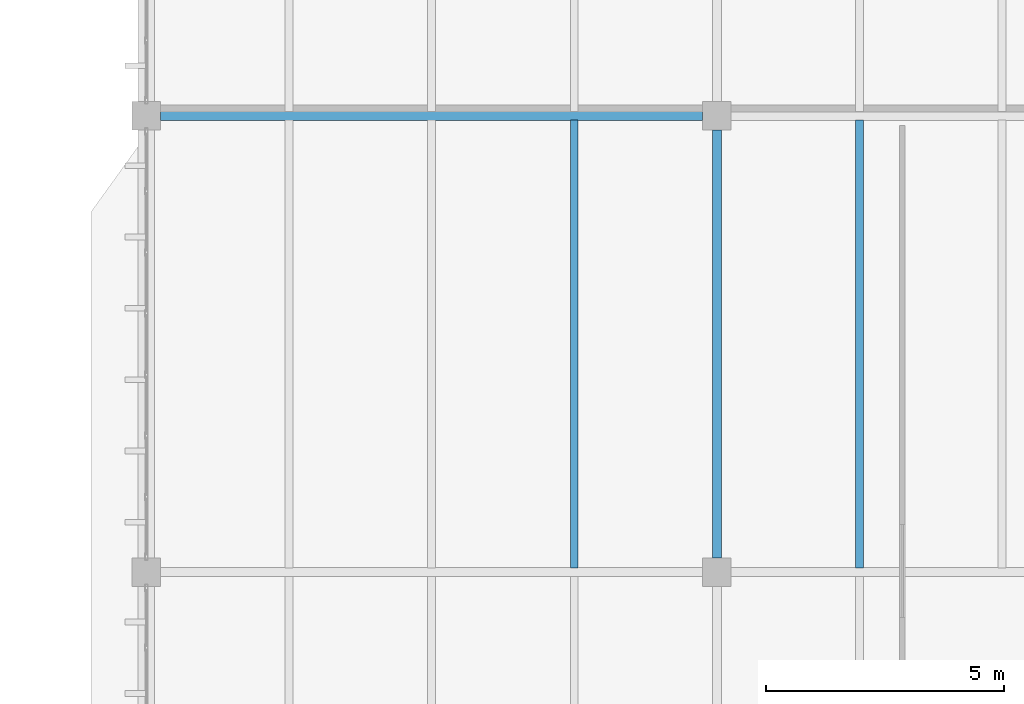
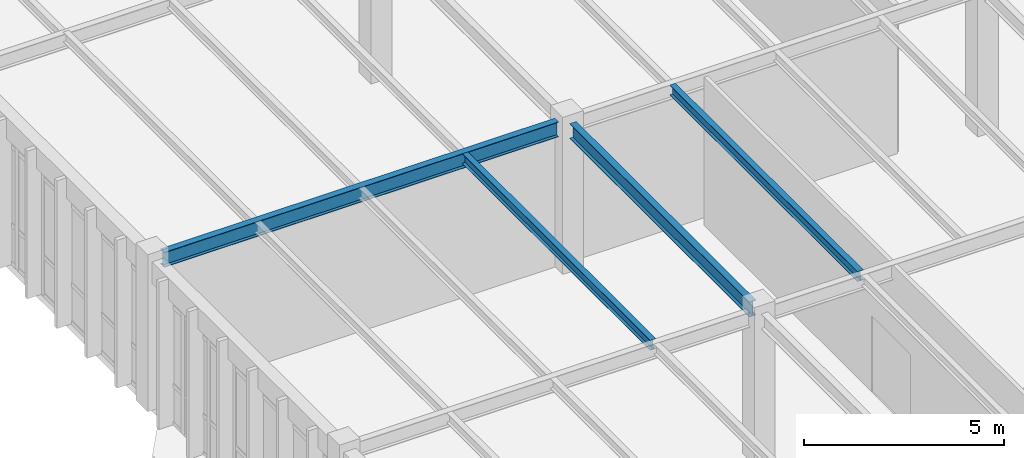
# One storey, part 159 of 236: 4 beams.
"""IFC4 building model written with IfcOpenShell, lengths in metres."""

import ifcopenshell
import ifcopenshell.guid

model = None  # the IFC model being written
_history = None  # IfcOwnerHistory: only IFC2X3 demands one
_inside = {}  # id of a spatial element -> (the spatial element, [elements in it])
_under = {}  # id of a project, library or spatial element -> (it, [spatial elements below it])
_declared = {}  # id of a project -> (the project, [libraries it declares])
_typed = {}  # id of a type object -> (the type object, [elements of that type])
_made_of = {}  # id of a material, layer set ... -> (it, [elements and type objects made of it])


def new_model(schema):
    """Start an empty IFC model of exactly this schema.

    Asked for "IFC4X3", IfcOpenShell would pick the latest addendum, in which some entities
    have other attributes; the version numbers below select the first issue.
    IFC2X3 requires an IfcOwnerHistory on every rooted entity: one is made here for all.
    """
    global model, _history
    if schema == "IFC4X3":
        model = ifcopenshell.file(schema_version=(4, 3, 0, 0))
    else:
        model = ifcopenshell.file(schema=schema)
    _inside.clear()
    _under.clear()
    _declared.clear()
    _typed.clear()
    _made_of.clear()
    _history = None
    if model.schema == "IFC2X3":
        org = make("IfcOrganization", Name="unknown")
        user = make(
            "IfcPersonAndOrganization",
            ThePerson=make("IfcPerson", FamilyName="unknown"),
            TheOrganization=org,
        )
        app = make(
            "IfcApplication",
            ApplicationDeveloper=org,
            Version="unknown",
            ApplicationFullName="unknown",
            ApplicationIdentifier="unknown",
        )
        _history = make(
            "IfcOwnerHistory",
            OwningUser=user,
            OwningApplication=app,
            ChangeAction="ADDED",
            CreationDate=0,
        )
    return model


def make(cls, **values):
    """One entity of the class cls with the attributes given. An attribute that is None is left unset."""
    return model.create_entity(
        cls, **{name: value for name, value in values.items() if value is not None}
    )


def rooted(cls, **values):
    """An entity with a GlobalId (a new one), such as an element, a storey or a relation."""
    return make(cls, GlobalId=ifcopenshell.guid.new(), OwnerHistory=_history, **values)


def si_unit(unit_type, name, prefix=None):
    """IfcSIUnit, for example si_unit("LENGTHUNIT", "METRE", prefix="MILLI")."""
    return make("IfcSIUnit", UnitType=unit_type, Prefix=prefix, Name=name)


def assignment(units):
    """IfcUnitAssignment: the units of a project."""
    return None if units is None else make("IfcUnitAssignment", Units=units)


def point(xyz):
    """IfcCartesianPoint."""
    return None if xyz is None else make("IfcCartesianPoint", Coordinates=xyz)


def direction(xyz):
    """IfcDirection."""
    return None if xyz is None else make("IfcDirection", DirectionRatios=xyz)


def frame(location, z_axis=None, x_axis=None):
    """IfcAxis2Placement3D, a coordinate frame: its origin and axes. An axis left out is left unset."""
    return make(
        "IfcAxis2Placement3D",
        Location=point(location),
        Axis=direction(z_axis),
        RefDirection=direction(x_axis),
    )


def frame_2d(location, x_axis=None):
    """IfcAxis2Placement2D, a coordinate frame in the plane: its origin and x axis."""
    return make(
        "IfcAxis2Placement2D", Location=point(location), RefDirection=direction(x_axis)
    )


def origin():
    """The frame at (0, 0, 0) with its axes left unset."""
    return frame((0.0, 0.0, 0.0))


def origin_2d():
    """The frame at (0, 0) in the plane with its x axis left unset."""
    return frame_2d((0.0, 0.0))


def place(relative_to, where):
    """IfcLocalPlacement: puts the frame where relative to a parent placement (None: the world)."""
    return make(
        "IfcLocalPlacement", PlacementRelTo=relative_to, RelativePlacement=where
    )


def context(
    kind, dimensions, precision=None, world=None, true_north=None, identifier=None
):
    """IfcGeometricRepresentationContext, for example the 3D "Model" context."""
    return make(
        "IfcGeometricRepresentationContext",
        ContextIdentifier=identifier,
        ContextType=kind,
        CoordinateSpaceDimension=dimensions,
        Precision=precision,
        WorldCoordinateSystem=world,
        TrueNorth=true_north,
    )


def subcontext(parent, identifier, kind, view, scale=None):
    """IfcGeometricRepresentationSubContext, for example "Body" below "Model"."""
    return make(
        "IfcGeometricRepresentationSubContext",
        ContextIdentifier=identifier,
        ContextType=kind,
        ParentContext=parent,
        TargetScale=scale,
        TargetView=view,
    )


def project(units=None, contexts=None):
    """IfcProject with its units and contexts."""
    return rooted(
        "IfcProject",
        Name="project",
        RepresentationContexts=contexts,
        UnitsInContext=assignment(units),
    )


def spatial(cls, under=None, at=None, **own):
    """A site, building, storey or space (cls), placed at a placement, below another one or the project."""
    s = rooted(cls, ObjectPlacement=at, **own)
    if under is not None:
        _under.setdefault(under.id(), (under, []))[1].append(s)
    return s


def profile(cls, at=None, kind="AREA", **sizes):
    """A parametric profile (cls). Its sizes go by their IFC names, for example OverallWidth=200.0."""
    return make(cls, ProfileType=kind, Position=at, **sizes)


def i_section(**sizes):
    """IfcIShapeProfileDef."""
    return profile("IfcIShapeProfileDef", **sizes)


def extrude(swept, where, along, depth):
    """IfcExtrudedAreaSolid: the profile swept, set in the frame where, extruded along a direction by depth."""
    return make(
        "IfcExtrudedAreaSolid",
        SweptArea=swept,
        Position=where,
        ExtrudedDirection=direction(along),
        Depth=depth,
    )


def shape(context_of_items, identifier, shape_type, items):
    """IfcShapeRepresentation: the items that make up one representation, for example the "Body"."""
    return make(
        "IfcShapeRepresentation",
        ContextOfItems=context_of_items,
        RepresentationIdentifier=identifier,
        RepresentationType=shape_type,
        Items=items,
    )


def material(Name=None, Category=None):
    """IfcMaterial."""
    return make("IfcMaterial", Name=Name, Category=Category)


def material_profile(
    of_material, cross_section, Name=None, Category=None, Priority=None
):
    """IfcMaterialProfile: a cross section and its material."""
    return make(
        "IfcMaterialProfile",
        Name=Name,
        Material=of_material,
        Profile=cross_section,
        Priority=Priority,
        Category=Category,
    )


def profile_set(profiles, Name=None, composite=None):
    """IfcMaterialProfileSet."""
    return make(
        "IfcMaterialProfileSet",
        Name=Name,
        MaterialProfiles=profiles,
        CompositeProfile=composite,
    )


def made_of(thing, what):
    """Note that an element or type object is made of a material, layer set ...; save() writes the relation."""
    if what is not None:
        _made_of.setdefault(what.id(), (what, []))[1].append(thing)
    return thing


def type_object(cls, material=None, **own):
    """A type object (cls), such as IfcWallType, which elements share."""
    return made_of(rooted(cls, **own), material)


def element(
    cls,
    number,
    at=None,
    inside=None,
    cuts=None,
    type_object=None,
    material=None,
    context=None,
    identifier="Body",
    shape_type=None,
    held_by="IfcProductDefinitionShape",
    body=None,
    shapes=None,
    **own,
):
    """One element of the class cls, such as IfcWall. Its Tag is "e" and its number.

    at: its placement. inside: the storey or other place that contains it. cuts: it is an
    opening in that element (IfcRelVoidsElement). A single representation is given by context,
    identifier, shape_type and body (its items); several are given by shapes. held_by: the class
    of the entity that holds the representations. save() writes the other relations.
    """
    e = rooted(cls, Tag="e%d" % number, ObjectPlacement=at, **own)
    if body is not None:
        shapes = [shape(context, identifier, shape_type, body)]
    if shapes is not None:
        e.Representation = make(held_by, Representations=shapes)
    if inside is not None:
        _inside.setdefault(inside.id(), (inside, []))[1].append(e)
    if cuts is not None:
        rooted(
            "IfcRelVoidsElement", RelatingBuildingElement=cuts, RelatedOpeningElement=e
        )
    if type_object is not None:
        _typed.setdefault(type_object.id(), (type_object, []))[1].append(e)
    return made_of(e, material)


def aggregate(whole, parts):
    """IfcRelAggregates: a whole, such as a stair, and the parts it consists of."""
    return rooted("IfcRelAggregates", RelatingObject=whole, RelatedObjects=parts)


def save(model, path):
    """Write the relations noted so far, then the file.

    IfcRelAggregates (storeys below a building ...), IfcRelContainedInSpatialStructure (elements
    in a storey), IfcRelDefinesByType, IfcRelAssociatesMaterial and IfcRelDeclares: one each for
    every whole, place, type object, material and project.
    """
    for whole, parts in _under.values():
        aggregate(whole, parts)
    for where, things in _inside.values():
        rooted(
            "IfcRelContainedInSpatialStructure",
            RelatedElements=things,
            RelatingStructure=where,
        )
    for kind, things in _typed.values():
        rooted("IfcRelDefinesByType", RelatedObjects=things, RelatingType=kind)
    for what, things in _made_of.values():
        rooted("IfcRelAssociatesMaterial", RelatedObjects=things, RelatingMaterial=what)
    for by, libraries in _declared.values():
        rooted("IfcRelDeclares", RelatingContext=by, RelatedDefinitions=libraries)
    model.write(path)


model = new_model("IFC4")

# Units and contexts
model_context = context("Model", 3, precision=1e-05, world=origin(), true_north=direction((0.0, 1.0)))
body_context = subcontext(model_context, "Body", "Model", "MODEL_VIEW")
ifc_project = project(units=[si_unit("LENGTHUNIT", "METRE"), si_unit("AREAUNIT", "SQUARE_METRE"), si_unit("VOLUMEUNIT", "CUBIC_METRE"), si_unit("PLANEANGLEUNIT", "RADIAN"), si_unit("MASSUNIT", "GRAM", prefix="KILO")], contexts=[model_context])

# Site, building, storey
site_placement = place(None, origin())
site = spatial("IfcSite", under=ifc_project, at=site_placement, CompositionType="ELEMENT")
building_placement = place(site_placement, origin())
building = spatial("IfcBuilding", under=site, at=building_placement, Name="Pandanus Reach Market Hall", CompositionType="ELEMENT")
storey_placement = place(building_placement, frame((0.0, 0.0, 5.39990234375)))
storey = spatial("IfcBuildingStorey", under=building, at=storey_placement, Name="L01", CompositionType="ELEMENT", Elevation=5.39990234375)

# Beams
ifc_material = material(Name="Steel Grade 350 (350 MPa)", Category="steel")
ifc_material_profile_1 = material_profile(ifc_material, i_section(OverallWidth=0.18994140625, OverallDepth=0.45703125, WebThickness=0.009033203125, FlangeThickness=0.014404296875, at=origin_2d()), Name="460UB74.6", Category="LoadBearing")
ifc_profile_set_1 = profile_set([ifc_material_profile_1], Name="Steel Grade 350 (350 MPa)")
beam_type_1 = type_object("IfcBeamType", Name="BM-UB460-I", PredefinedType="BEAM", material=ifc_profile_set_1)
beam_1_placement = place(storey_placement, frame((144.298095703125, 76.800048828125, 4.311279296875), z_axis=(1.0, 0.0, 0.0), x_axis=(0.0, 1.0, 0.0)))
element("IfcBeam", 1, at=beam_1_placement, inside=storey, type_object=beam_type_1, Name="Framing beam BM-UB460-I L01.327", PredefinedType="BEAM", context=body_context, shape_type="SweptSolid", body=[
    extrude(i_section(OverallWidth=0.18994140625, OverallDepth=0.45703125, WebThickness=0.009033203125, FlangeThickness=0.014404296875, at=origin_2d()), origin(), (0.0, 0.0, 1.0), 11.40380859375),
])
beam_2_placement = place(storey_placement, frame((156.0, 67.498046875, 4.311279296875), z_axis=(0.0, 1.0, 0.0), x_axis=(-1.0, 0.0, 0.0)))
element("IfcBeam", 2, at=beam_2_placement, inside=storey, type_object=beam_type_1, Name="Framing beam BM-UB460-I L01.351", PredefinedType="BEAM", context=body_context, shape_type="SweptSolid", body=[
    extrude(i_section(OverallWidth=0.18994140625, OverallDepth=0.45703125, WebThickness=0.009033203125, FlangeThickness=0.014404296875, at=origin_2d()), origin(), (0.0, 0.0, 1.0), 9.00390625),
])
ifc_material_profile_2 = material_profile(ifc_material, i_section(OverallWidth=0.166015625, OverallDepth=0.306884765625, WebThickness=0.006591796875, FlangeThickness=0.01171875, at=origin_2d()), Name="310UB46.2", Category="LoadBearing")
ifc_profile_set_2 = profile_set([ifc_material_profile_2], Name="Steel Grade 350 (350 MPa)")
beam_type_2 = type_object("IfcBeamType", Name="JS-UB310H-I", PredefinedType="JOIST", material=ifc_profile_set_2)
for number, where, z_axis, x_axis, name in (
    (3, (153.0, 67.29296875, 4.38623046875), (0.0, 1.0, 0.0), (-1.0, 0.0, 0.0), "Secondary joist JS-UB310H-I L01.389"),
    (4, (159.0, 67.29296875, 4.38623046875), (0.0, 1.0, 0.0), (-1.0, 0.0, 0.0), "Secondary joist JS-UB310H-I L01.407"),
):
    element("IfcBeam", number, at=place(storey_placement, frame(where, z_axis=z_axis, x_axis=x_axis)), inside=storey, type_object=beam_type_2, Name=name, PredefinedType="JOIST", context=body_context, shape_type="SweptSolid", body=[
        extrude(i_section(OverallWidth=0.166015625, OverallDepth=0.306884765625, WebThickness=0.006591796875, FlangeThickness=0.01171875, at=origin_2d()), origin(), (0.0, 0.0, 1.0), 9.4140625),
    ])

save(model, "model.ifc")
